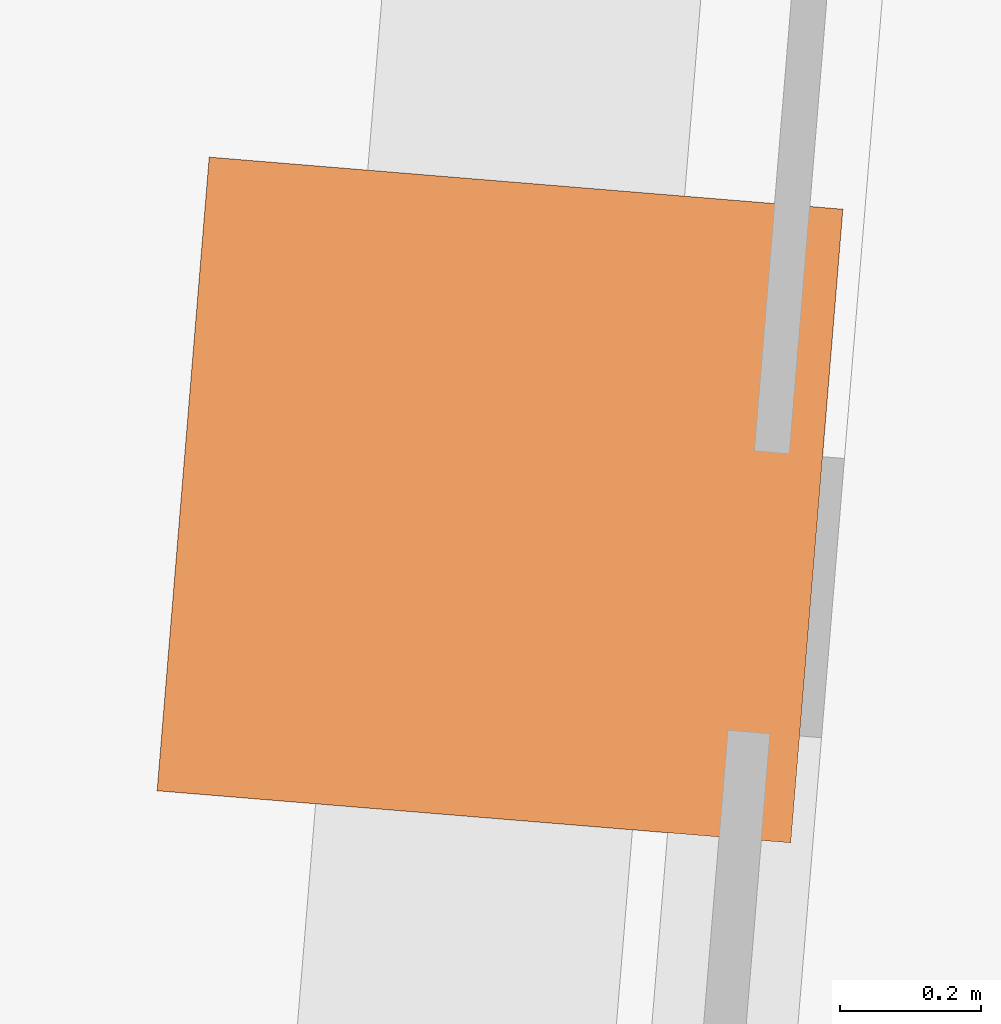
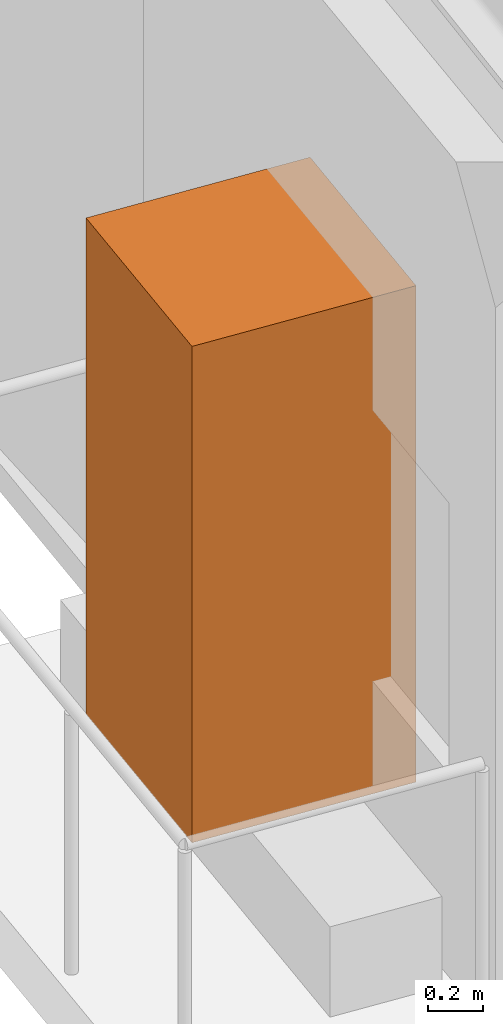
# One storey, part 9 of 9: 1 geographic element.
"""IFC4 building model written with IfcOpenShell, lengths in metres."""

from ifc_helpers import new_model, si_unit, direction, frame, origin, origin_2d, place, context, subcontext, project, spatial, rectangle, extrude, material, type_object, element, save


model = new_model("IFC4")

# Units and contexts
model_context = context("Model", 3, precision=1e-05, world=origin(), true_north=direction((0.0, 1.0)))
body_context = subcontext(model_context, "Body", "Model", "MODEL_VIEW")
ifc_project = project(units=[si_unit("LENGTHUNIT", "METRE"), si_unit("AREAUNIT", "SQUARE_METRE"), si_unit("VOLUMEUNIT", "CUBIC_METRE"), si_unit("PLANEANGLEUNIT", "RADIAN"), si_unit("MASSUNIT", "GRAM", prefix="KILO")], contexts=[model_context])

# Site, building, storey
site_placement = place(None, origin())
site = spatial("IfcSite", under=ifc_project, at=site_placement, CompositionType="ELEMENT")
building_placement = place(site_placement, origin())
building = spatial("IfcBuilding", under=site, at=building_placement, Name="Verdant Reach Tower", CompositionType="ELEMENT")
storey_placement = place(building_placement, frame((0.0, 0.0, 102.0)))
storey = spatial("IfcBuildingStorey", under=building, at=storey_placement, Name="L23", CompositionType="ELEMENT", Elevation=102.0)

# Geographic element
ifc_material = material(Name="Planting")
geographic_element_type = type_object("IfcGeographicElementType", Name="EN-TREE", PredefinedType="USERDEFINED", material=ifc_material)
geographic_element_placement = place(storey_placement, frame((-24.1044921875, 15.101806640625, 0.39990234375), z_axis=(0.0, 0.0, 1.0), x_axis=(-0.081915556724, -0.996639273542, 0.0)))
element("IfcGeographicElement", 1, at=geographic_element_placement, inside=storey, type_object=geographic_element_type, Name="Balcony tree, Surinam cherry (Eugenia uniflora), L23 1", ObjectType="TREE", PredefinedType="USERDEFINED", context=body_context, shape_type="SweptSolid", body=[
    extrude(rectangle(XDim=0.89990234375, YDim=0.89990234375, at=origin_2d()), origin(), (0.0, 0.0, 1.0), 2.199951171875),
])

save(model, "model.ifc")
